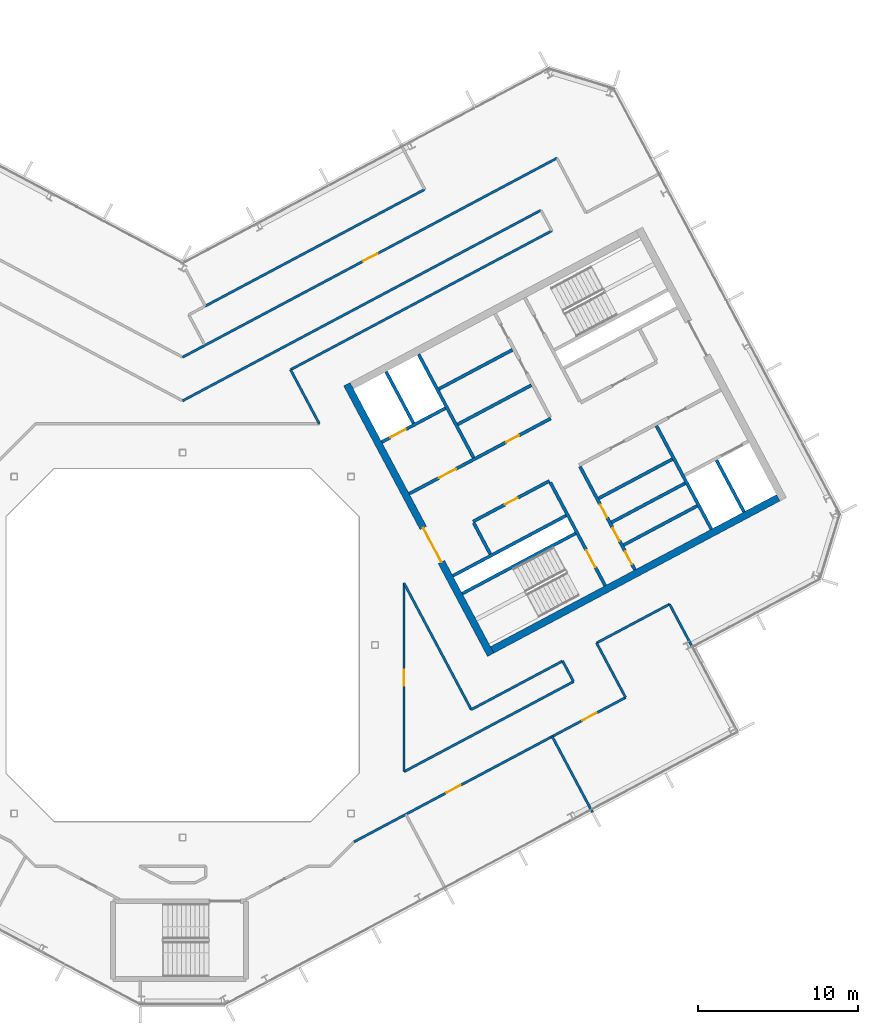
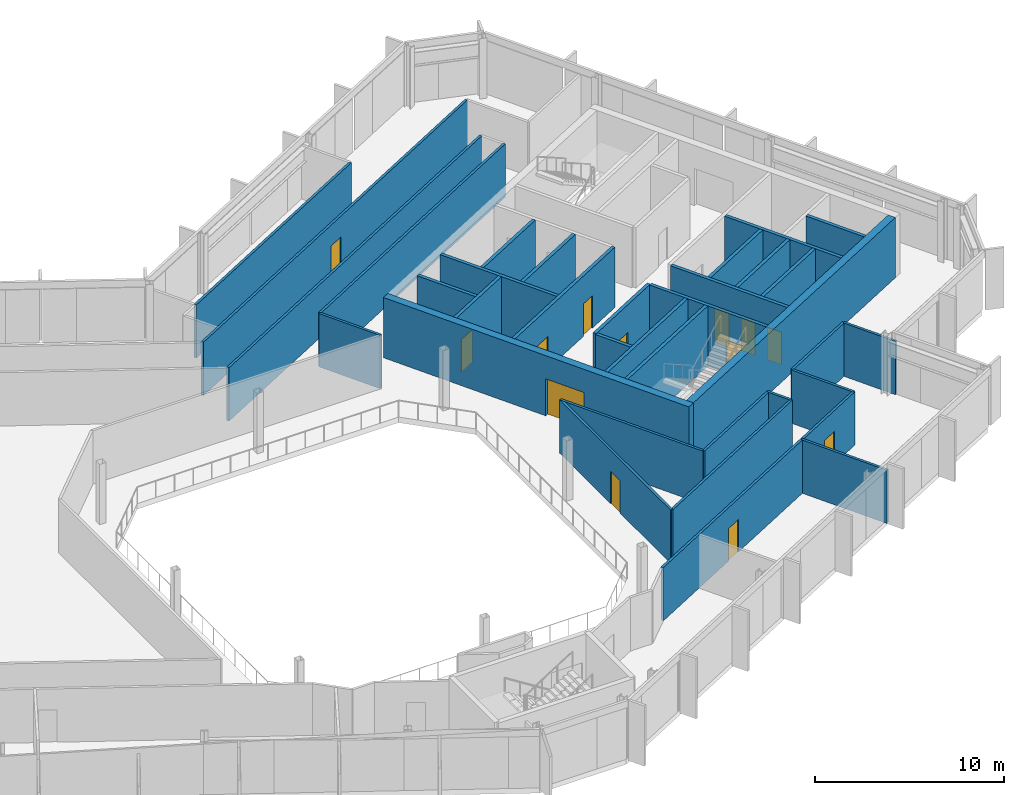
# One storey, part 16 of 26: 35 walls, 13 doors, 13 openings.
"""IFC4 building model written with IfcOpenShell, lengths in metres."""

from ifc_helpers import new_model, si_unit, direction, frame, frame_2d, origin, place, context, subcontext, project, spatial, rectangle, extrude, material, layer, layer_set, type_object, element, fill, save


model = new_model("IFC4")

# Units and contexts
model_context = context("Model", 3, precision=1e-05, world=origin(), true_north=direction((0.0, 1.0)))
body_context = subcontext(model_context, "Body", "Model", "MODEL_VIEW")
ifc_project = project(units=[si_unit("LENGTHUNIT", "METRE"), si_unit("AREAUNIT", "SQUARE_METRE"), si_unit("VOLUMEUNIT", "CUBIC_METRE"), si_unit("PLANEANGLEUNIT", "RADIAN"), si_unit("MASSUNIT", "GRAM", prefix="KILO")], contexts=[model_context])

# Site, building, storey
site_placement = place(None, origin())
site = spatial("IfcSite", under=ifc_project, at=site_placement, CompositionType="ELEMENT")
building_placement = place(site_placement, origin())
building = spatial("IfcBuilding", under=site, at=building_placement, Name="Cormorant Relay Tower", CompositionType="ELEMENT")
storey_placement = place(building_placement, frame((0.0, 0.0, 316.5)))
storey = spatial("IfcBuildingStorey", under=building, at=storey_placement, Name="L72", CompositionType="ELEMENT", Elevation=316.5)

# Walls
ifc_material_1 = material(Name="Concrete 40 MPa", Category="concrete")
ifc_layer_1 = layer(ifc_material_1, 0.199951171875)
ifc_layer_set_1 = layer_set([ifc_layer_1], Name="Core internal wall 200")
wall_type_1 = type_object("IfcWallType", Name="Core internal wall 200", PredefinedType="SOLIDWALL", material=ifc_layer_set_1)
for number, where, z_axis, x_axis, name in (
    (1, (27.490234375, 6.23583984375, 0.0), (0.0, 0.0, 1.0), (0.882953967957, 0.469459572775, 0.0), "L72 core B shaft and room wall"),
    (2, (26.739013671875, 7.6484375, 0.0), (0.0, 0.0, 1.0), (0.882934506056, 0.469496174655, 0.0), "L72 core B shaft and room wall"),
    (3, (15.97314453125, 15.968017578125, 0.0), (0.0, 0.0, 1.0), (0.882953967957, 0.469459572775, 0.0), "L72 core B shaft and room wall"),
):
    element("IfcWall", number, at=place(storey_placement, frame(where, z_axis=z_axis, x_axis=x_axis)), inside=storey, type_object=wall_type_1, Name=name, PredefinedType="SOLIDWALL", context=body_context, shape_type="SweptSolid", body=[
        extrude(rectangle(XDim=5.199951171875, YDim=0.199951171875, at=frame_2d((2.60009765625, 0.0))), origin(), (0.0, 0.0, 1.0), 3.89990234375),
    ])
ifc_material_2 = material(Name="Concrete 50 MPa", Category="concrete")
ifc_layer_2 = layer(ifc_material_2, 0.199951171875)
ifc_layer_set_2 = layer_set([ifc_layer_2], Name="Core shaft wall 200")
wall_type_2 = type_object("IfcWallType", Name="Core shaft wall 200", PredefinedType="SHEAR", material=ifc_layer_set_2)
wall_1_placement = place(storey_placement, frame((14.39404296875, 13.825927734375, 0.0), z_axis=(0.0, 0.0, 1.0), x_axis=(-0.469494272526, 0.882935517501, 0.0)))
element("IfcWall", 4, at=wall_1_placement, inside=storey, type_object=wall_type_2, Name="L72 core B shaft wall", PredefinedType="SHEAR", context=body_context, shape_type="SweptSolid", body=[
    extrude(rectangle(XDim=3.64990234375, YDim=0.199951171875, at=frame_2d((1.824951171875, 0.0))), origin(), (0.0, 0.0, 1.0), 3.89990234375),
])
wall_2_placement = place(storey_placement, frame((19.18359375, 5.669921875, 0.0), z_axis=(0.0, 0.0, 1.0), x_axis=(-0.4694473164, 0.882960484464, 0.0)))
element("IfcWall", 5, at=wall_2_placement, inside=storey, type_object=wall_type_2, Name="L72 core B shaft wall", PredefinedType="SHEAR", context=body_context, shape_type="SweptSolid", body=[
    extrude(rectangle(XDim=2.199951171875, YDim=0.199951171875, at=frame_2d((1.10009765625, 0.0))), origin(), (0.0, 0.0, 1.0), 3.89990234375),
])
wall_3_placement = place(storey_placement, frame((18.138427734375, 11.682861328125, 0.0), z_axis=(0.0, 0.0, 1.0), x_axis=(-0.469480409012, 0.88294288918, 0.0)))
element("IfcWall", 6, at=wall_3_placement, inside=storey, type_object=wall_type_2, Name="L72 core B shaft wall", PredefinedType="SHEAR", context=body_context, shape_type="SweptSolid", body=[
    extrude(rectangle(XDim=7.300048828125, YDim=0.199951171875, at=frame_2d((3.64990234375, 0.0))), origin(), (0.0, 0.0, 1.0), 3.89990234375),
])

# Wall, opening, door
wall_4_placement = place(storey_placement, frame((26.345947265625, 3.701904296875, 0.0), z_axis=(0.0, 0.0, 1.0), x_axis=(-0.469480409012, 0.88294288918, 0.0)))
wall_4 = element("IfcWall", 7, at=wall_4_placement, inside=storey, type_object=wall_type_2, Name="L72 core B shaft wall", PredefinedType="SHEAR", context=body_context, shape_type="SweptSolid", body=[
    extrude(rectangle(XDim=7.300048828125, YDim=0.199951171875, at=frame_2d((3.64990234375, 0.0))), origin(), (0.0, 0.0, 1.0), 3.89990234375),
])
opening_1_placement = place(wall_4_placement, frame((1.300048828125, 0.0, 0.0)))
opening_1 = element("IfcOpeningElement", 8, at=opening_1_placement, cuts=wall_4, Name="Opening CDB-040", PredefinedType="OPENING", context=body_context, shape_type="SweptSolid", body=[
    extrude(rectangle(XDim=1.199951171875, YDim=2.10009765625, at=frame_2d((0.60009765625, 1.050048828125))), frame((0.0, 0.10986328125, 0.0), z_axis=(0.0, -1.0, 0.0), x_axis=(1.0, 0.0, 0.0)), (0.0, 0.0, 1.0), 0.219970703125),
])
ifc_material_3 = material(Name="Steel fire door", Category="steel")
door_type_1 = type_object("IfcDoorType", Name="Core stair door 1200x2100", OperationType="SINGLE_SWING_LEFT", PredefinedType="DOOR", material=ifc_material_3)
door_1_placement = place(opening_1_placement, origin())
door_1 = element("IfcDoor", 9, at=door_1_placement, inside=storey, type_object=door_type_1, Name="Core stair door 1200x2100", OperationType="SINGLE_SWING_RIGHT", OverallHeight=2.10009765625, OverallWidth=1.199951171875, PredefinedType="DOOR", context=body_context, shape_type="SweptSolid", body=[
    extrude(rectangle(XDim=1.199951171875, YDim=2.10009765625, at=frame_2d((0.60009765625, 1.050048828125))), frame((0.0, 0.02490234375, 0.0), z_axis=(0.0, -1.0, 0.0), x_axis=(1.0, 0.0, 0.0)), (0.0, 0.0, 1.0), 0.050048828125),
])
fill(opening_1, door_1)

# Wall, openings, doors
wall_5_placement = place(storey_placement, frame((28.199951171875, 4.687744140625, 0.0), z_axis=(0.0, 0.0, 1.0), x_axis=(-0.469454336211, 0.882956752176, 0.0)))
wall_5 = element("IfcWall", 10, at=wall_5_placement, inside=storey, type_object=wall_type_2, Name="L72 core B shaft wall", PredefinedType="SHEAR", context=body_context, shape_type="SweptSolid", body=[
    extrude(rectangle(XDim=7.300048828125, YDim=0.199951171875, at=frame_2d((3.64990234375, 0.0))), origin(), (0.0, 0.0, 1.0), 3.89990234375),
])
opening_2_placement = place(wall_5_placement, frame((0.39990234375, 0.0, 0.0)))
opening_2 = element("IfcOpeningElement", 11, at=opening_2_placement, cuts=wall_5, Name="Opening CDD-343", PredefinedType="OPENING", context=body_context, shape_type="SweptSolid", body=[
    extrude(rectangle(XDim=0.89990234375, YDim=2.10009765625, at=frame_2d((0.449951171875, 1.050048828125))), frame((0.0, 0.10986328125, 0.0), z_axis=(0.0, -1.0, 0.0), x_axis=(1.0, 0.0, 0.0)), (0.0, 0.0, 1.0), 0.219970703125),
])
opening_3_placement = place(wall_5_placement, frame((2.050048828125, 0.0, 0.0)))
opening_3 = element("IfcOpeningElement", 12, at=opening_3_placement, cuts=wall_5, Name="Opening CDD-317", PredefinedType="OPENING", context=body_context, shape_type="SweptSolid", body=[
    extrude(rectangle(XDim=0.89990234375, YDim=2.10009765625, at=frame_2d((0.449951171875, 1.050048828125))), frame((0.0, 0.10986328125, 0.0), z_axis=(0.0, -1.0, 0.0), x_axis=(1.0, 0.0, 0.0)), (0.0, 0.0, 1.0), 0.219970703125),
])
opening_4_placement = place(wall_5_placement, frame((3.699951171875, 0.0, 0.0)))
opening_4 = element("IfcOpeningElement", 13, at=opening_4_placement, cuts=wall_5, Name="Opening CDD-336", PredefinedType="OPENING", context=body_context, shape_type="SweptSolid", body=[
    extrude(rectangle(XDim=0.89990234375, YDim=2.10009765625, at=frame_2d((0.449951171875, 1.050048828125))), frame((0.0, 0.10986328125, 0.0), z_axis=(0.0, -1.0, 0.0), x_axis=(1.0, 0.0, 0.0)), (0.0, 0.0, 1.0), 0.219970703125),
])
ifc_material_4 = material(Name="Steel fire door", Category="steel")
door_type_2 = type_object("IfcDoorType", Name="Core room door 900x2100", OperationType="SINGLE_SWING_LEFT", PredefinedType="DOOR", material=ifc_material_4)
door_2_placement = place(opening_2_placement, frame((0.89990234375, 0.0, 0.0), z_axis=(0.0, 0.0, 1.0), x_axis=(-1.0, 0.0, 0.0)))
door_2 = element("IfcDoor", 14, at=door_2_placement, inside=storey, type_object=door_type_2, Name="Core room door 900x2100", OperationType="SINGLE_SWING_LEFT", OverallHeight=2.10009765625, OverallWidth=0.89990234375, PredefinedType="DOOR", context=body_context, shape_type="SweptSolid", body=[
    extrude(rectangle(XDim=0.89990234375, YDim=2.10009765625, at=frame_2d((0.449951171875, 1.050048828125))), frame((0.0, 0.02490234375, 0.0), z_axis=(0.0, -1.0, 0.0), x_axis=(1.0, 0.0, 0.0)), (0.0, 0.0, 1.0), 0.050048828125),
])
fill(opening_2, door_2)
door_3_placement = place(opening_3_placement, frame((0.89990234375, 0.0, 0.0), z_axis=(0.0, 0.0, 1.0), x_axis=(-1.0, 0.0, 0.0)))
door_3 = element("IfcDoor", 15, at=door_3_placement, inside=storey, type_object=door_type_2, Name="Core room door 900x2100", OperationType="SINGLE_SWING_LEFT", OverallHeight=2.10009765625, OverallWidth=0.89990234375, PredefinedType="DOOR", context=body_context, shape_type="SweptSolid", body=[
    extrude(rectangle(XDim=0.89990234375, YDim=2.10009765625, at=frame_2d((0.449951171875, 1.050048828125))), frame((0.0, 0.02490234375, 0.0), z_axis=(0.0, -1.0, 0.0), x_axis=(1.0, 0.0, 0.0)), (0.0, 0.0, 1.0), 0.050048828125),
])
fill(opening_3, door_3)
door_4_placement = place(opening_4_placement, frame((0.89990234375, 0.0, 0.0), z_axis=(0.0, 0.0, 1.0), x_axis=(-1.0, 0.0, 0.0)))
door_4 = element("IfcDoor", 16, at=door_4_placement, inside=storey, type_object=door_type_2, Name="Core room door 900x2100", OperationType="SINGLE_SWING_LEFT", OverallHeight=2.10009765625, OverallWidth=0.89990234375, PredefinedType="DOOR", context=body_context, shape_type="SweptSolid", body=[
    extrude(rectangle(XDim=0.89990234375, YDim=2.10009765625, at=frame_2d((0.449951171875, 1.050048828125))), frame((0.0, 0.02490234375, 0.0), z_axis=(0.0, -1.0, 0.0), x_axis=(1.0, 0.0, 0.0)), (0.0, 0.0, 1.0), 0.050048828125),
])
fill(opening_4, door_4)

# Walls
wall_6_placement = place(storey_placement, frame((32.968017578125, 7.222900390625, 0.0), z_axis=(0.0, 0.0, 1.0), x_axis=(-0.469480409012, 0.88294288918, 0.0)))
element("IfcWall", 17, at=wall_6_placement, inside=storey, type_object=wall_type_2, Name="L72 core B shaft wall", PredefinedType="SHEAR", context=body_context, shape_type="SweptSolid", body=[
    extrude(rectangle(XDim=7.300048828125, YDim=0.199951171875, at=frame_2d((3.64990234375, 0.0))), origin(), (0.0, 0.0, 1.0), 3.89990234375),
])
wall_7_placement = place(storey_placement, frame((34.998779296875, 8.302734375, 0.0), z_axis=(0.0, 0.0, 1.0), x_axis=(-0.4694665462, 0.882950260207, 0.0)))
element("IfcWall", 18, at=wall_7_placement, inside=storey, type_object=wall_type_2, Name="L72 core B shaft wall", PredefinedType="SHEAR", context=body_context, shape_type="SweptSolid", body=[
    extrude(rectangle(XDim=3.650146484375, YDim=0.199951171875, at=frame_2d((1.8251953125, 0.0))), origin(), (0.0, 0.0, 1.0), 3.89990234375),
])
for number, where, z_axis, x_axis, name in (
    (19, (17.43359375, 3.210205078125, 0.0), (0.0, 0.0, 1.0), (0.882940221191, 0.469485426614, 0.0), "L72 core B shaft wall"),
    (20, (16.8466796875, 4.31396484375, 0.0), (0.0, 0.0, 1.0), (0.882940221191, 0.469485426614, 0.0), "L72 core B shaft wall"),
):
    element("IfcWall", number, at=place(storey_placement, frame(where, z_axis=z_axis, x_axis=x_axis)), inside=storey, type_object=wall_type_2, Name=name, PredefinedType="SHEAR", context=body_context, shape_type="SweptSolid", body=[
        extrude(rectangle(XDim=8.0, YDim=0.199951171875, at=frame_2d((4.0, 0.0))), origin(), (0.0, 0.0, 1.0), 3.89990234375),
    ])
wall_8_placement = place(storey_placement, frame((25.94091796875, 9.149658203125, 0.0), z_axis=(0.0, 0.0, 1.0), x_axis=(0.882953967957, 0.469459572775, 0.0)))
element("IfcWall", 21, at=wall_8_placement, inside=storey, type_object=wall_type_2, Name="L72 core B shaft wall", PredefinedType="SHEAR", context=body_context, shape_type="SweptSolid", body=[
    extrude(rectangle(XDim=5.199951171875, YDim=0.199951171875, at=frame_2d((2.60009765625, 0.0))), origin(), (0.0, 0.0, 1.0), 3.89990234375),
])

# Wall, opening, door
wall_9_placement = place(storey_placement, frame((18.103759765625, 7.70068359375, 0.0), z_axis=(0.0, 0.0, 1.0), x_axis=(0.882952937579, 0.469461510692, 0.0)))
wall_9 = element("IfcWall", 22, at=wall_9_placement, inside=storey, type_object=wall_type_2, Name="L72 core B shaft wall", PredefinedType="SHEAR", context=body_context, shape_type="SweptSolid", body=[
    extrude(rectangle(XDim=5.400146484375, YDim=0.199951171875, at=frame_2d((2.7001953125, 0.0))), origin(), (0.0, 0.0, 1.0), 3.89990234375),
])
opening_5_placement = place(wall_9_placement, frame((2.25, 0.0, 0.0)))
opening_5 = element("IfcOpeningElement", 23, at=opening_5_placement, cuts=wall_9, Name="Opening CDD-262", PredefinedType="OPENING", context=body_context, shape_type="SweptSolid", body=[
    extrude(rectangle(XDim=0.89990234375, YDim=2.10009765625, at=frame_2d((0.449951171875, 1.050048828125))), frame((0.0, 0.10986328125, 0.0), z_axis=(0.0, -1.0, 0.0), x_axis=(1.0, 0.0, 0.0)), (0.0, 0.0, 1.0), 0.219970703125),
])
door_5_placement = place(opening_5_placement, frame((0.89990234375, 0.0, 0.0), z_axis=(0.0, 0.0, 1.0), x_axis=(-1.0, 0.0, 0.0)))
door_5 = element("IfcDoor", 24, at=door_5_placement, inside=storey, type_object=door_type_2, Name="Core room door 900x2100", OperationType="SINGLE_SWING_RIGHT", OverallHeight=2.10009765625, OverallWidth=0.89990234375, PredefinedType="DOOR", context=body_context, shape_type="SweptSolid", body=[
    extrude(rectangle(XDim=0.89990234375, YDim=2.10009765625, at=frame_2d((0.449951171875, 1.050048828125))), frame((0.0, 0.02490234375, 0.0), z_axis=(0.0, -1.0, 0.0), x_axis=(1.0, 0.0, 0.0)), (0.0, 0.0, 1.0), 0.050048828125),
])
fill(opening_5, door_5)

# Wall, openings, doors
wall_10_placement = place(storey_placement, frame((14.123779296875, 9.43505859375, 0.0), z_axis=(0.0, 0.0, 1.0), x_axis=(0.882940221191, 0.469485426614, 0.0)))
wall_10 = element("IfcWall", 25, at=wall_10_placement, inside=storey, type_object=wall_type_2, Name="L72 core B shaft wall", PredefinedType="SHEAR", context=body_context, shape_type="SweptSolid", body=[
    extrude(rectangle(XDim=10.0, YDim=0.199951171875, at=frame_2d((5.0, 0.0))), origin(), (0.0, 0.0, 1.0), 3.89990234375),
])
opening_6_placement = place(wall_10_placement, frame((2.10009765625, 0.0, 0.0)))
opening_6 = element("IfcOpeningElement", 26, at=opening_6_placement, cuts=wall_10, Name="Opening CDC-037", PredefinedType="OPENING", context=body_context, shape_type="SweptSolid", body=[
    extrude(rectangle(XDim=1.199951171875, YDim=2.10009765625, at=frame_2d((0.60009765625, 1.050048828125))), frame((0.0, 0.10986328125, 0.0), z_axis=(0.0, -1.0, 0.0), x_axis=(1.0, 0.0, 0.0)), (0.0, 0.0, 1.0), 0.219970703125),
])
opening_7_placement = place(wall_10_placement, frame((6.85009765625, 0.0, 0.0)))
opening_7 = element("IfcOpeningElement", 27, at=opening_7_placement, cuts=wall_10, Name="Opening CDD-260", PredefinedType="OPENING", context=body_context, shape_type="SweptSolid", body=[
    extrude(rectangle(XDim=0.89990234375, YDim=2.10009765625, at=frame_2d((0.449951171875, 1.050048828125))), frame((0.0, 0.10986328125, 0.0), z_axis=(0.0, -1.0, 0.0), x_axis=(1.0, 0.0, 0.0)), (0.0, 0.0, 1.0), 0.219970703125),
])
ifc_material_5 = material(Name="Steel fire door", Category="steel")
door_type_3 = type_object("IfcDoorType", Name="Core lobby door 1200x2100", OperationType="SINGLE_SWING_LEFT", PredefinedType="DOOR", material=ifc_material_5)
door_6_placement = place(opening_6_placement, origin())
door_6 = element("IfcDoor", 28, at=door_6_placement, inside=storey, type_object=door_type_3, Name="Core lobby door 1200x2100", OperationType="SINGLE_SWING_RIGHT", OverallHeight=2.10009765625, OverallWidth=1.199951171875, PredefinedType="DOOR", context=body_context, shape_type="SweptSolid", body=[
    extrude(rectangle(XDim=1.199951171875, YDim=2.10009765625, at=frame_2d((0.60009765625, 1.050048828125))), frame((0.0, 0.02490234375, 0.0), z_axis=(0.0, -1.0, 0.0), x_axis=(1.0, 0.0, 0.0)), (0.0, 0.0, 1.0), 0.050048828125),
])
fill(opening_6, door_6)
door_7_placement = place(opening_7_placement, origin())
door_7 = element("IfcDoor", 29, at=door_7_placement, inside=storey, type_object=door_type_2, Name="Core room door 900x2100", OperationType="SINGLE_SWING_LEFT", OverallHeight=2.10009765625, OverallWidth=0.89990234375, PredefinedType="DOOR", context=body_context, shape_type="SweptSolid", body=[
    extrude(rectangle(XDim=0.89990234375, YDim=2.10009765625, at=frame_2d((0.449951171875, 1.050048828125))), frame((0.0, 0.02490234375, 0.0), z_axis=(0.0, -1.0, 0.0), x_axis=(1.0, 0.0, 0.0)), (0.0, 0.0, 1.0), 0.050048828125),
])
fill(opening_7, door_7)

# Wall
wall_11_placement = place(storey_placement, frame((17.146728515625, 13.7607421875, 0.0), z_axis=(0.0, 0.0, 1.0), x_axis=(0.882964314875, 0.469440111896, 0.0)))
element("IfcWall", 30, at=wall_11_placement, inside=storey, type_object=wall_type_2, Name="L72 core B shaft wall", PredefinedType="SHEAR", context=body_context, shape_type="SweptSolid", body=[
    extrude(rectangle(XDim=5.2001953125, YDim=0.199951171875, at=frame_2d((2.60009765625, 0.0))), origin(), (0.0, 0.0, 1.0), 3.89990234375),
])

# Wall, opening, door
wall_12_placement = place(storey_placement, frame((12.41015625, 12.657958984375, 0.0), z_axis=(0.0, 0.0, 1.0), x_axis=(0.8829484765, 0.469469900894, 0.0)))
wall_12 = element("IfcWall", 31, at=wall_12_placement, inside=storey, type_object=wall_type_2, Name="L72 core B shaft wall", PredefinedType="SHEAR", context=body_context, shape_type="SweptSolid", body=[
    extrude(rectangle(XDim=4.499755859375, YDim=0.199951171875, at=frame_2d((2.25, 0.0))), origin(), (0.0, 0.0, 1.0), 3.89990234375),
])
opening_8_placement = place(wall_12_placement, frame((0.60009765625, 0.0, 0.0)))
opening_8 = element("IfcOpeningElement", 32, at=opening_8_placement, cuts=wall_12, Name="Opening LD1-064", PredefinedType="OPENING", context=body_context, shape_type="SweptSolid", body=[
    extrude(rectangle(XDim=1.10009765625, YDim=2.10009765625, at=frame_2d((0.550048828125, 1.050048828125))), frame((0.0, 0.10986328125, 0.0), z_axis=(0.0, -1.0, 0.0), x_axis=(1.0, 0.0, 0.0)), (0.0, 0.0, 1.0), 0.219970703125),
])
ifc_material_6 = material(Name="Stainless steel 316", Category="steel")
door_type_4 = type_object("IfcDoorType", Name="Lift landing door 1100x2100", OperationType="DOUBLE_DOOR_SLIDING", PredefinedType="DOOR", material=ifc_material_6)
door_8_placement = place(opening_8_placement, origin())
door_8 = element("IfcDoor", 33, at=door_8_placement, inside=storey, type_object=door_type_4, Name="FF2 landing door", OperationType="DOUBLE_DOOR_SLIDING", OverallHeight=2.10009765625, OverallWidth=1.10009765625, PredefinedType="DOOR", context=body_context, shape_type="SweptSolid", body=[
    extrude(rectangle(XDim=1.10009765625, YDim=2.10009765625, at=frame_2d((0.550048828125, 1.050048828125))), frame((0.0, 0.02490234375, 0.0), z_axis=(0.0, -1.0, 0.0), x_axis=(1.0, 0.0, 0.0)), (0.0, 0.0, 1.0), 0.050048828125),
])
fill(opening_8, door_8)

ifc_material_7 = material(Name="Concrete 50 MPa", Category="concrete")
ifc_layer_3 = layer(ifc_material_7, 0.449951171875)
ifc_layer_set_3 = layer_set([ifc_layer_3], Name="Core wall 450")
wall_type_3 = type_object("IfcWallType", Name="Core wall 450", PredefinedType="SHEAR", material=ifc_layer_set_3)
wall_13_placement = place(storey_placement, frame((19.20654296875, -0.603759765625, 0.0), z_axis=(0.0, 0.0, 1.0), x_axis=(-0.469467968382, 0.882949504028, 0.0)))
wall_13 = element("IfcWall", 34, at=wall_13_placement, inside=storey, type_object=wall_type_3, Name="L72 core B wall", PredefinedType="SHEAR", context=body_context, shape_type="SweptSolid", body=[
    extrude(rectangle(XDim=19.099853515625, YDim=0.449951171875, at=frame_2d((9.5498046875, 0.0))), origin(), (0.0, 0.0, 1.0), 3.89990234375),
])
opening_9_placement = place(wall_13_placement, frame((6.550048828125, 0.0, 0.0)))
opening_9 = element("IfcOpeningElement", 35, at=opening_9_placement, cuts=wall_13, Name="Opening CDA-055", PredefinedType="OPENING", context=body_context, shape_type="SweptSolid", body=[
    extrude(rectangle(XDim=2.39990234375, YDim=2.39990234375, at=frame_2d((1.199951171875, 1.199951171875))), frame((0.0, 0.23486328125, 0.0), z_axis=(0.0, -1.0, 0.0), x_axis=(1.0, 0.0, 0.0)), (0.0, 0.0, 1.0), 0.469970703125),
])
ifc_material_8 = material(Name="Steel fire door", Category="steel")
door_type_5 = type_object("IfcDoorType", Name="Core lobby door 2400x2400", OperationType="DOUBLE_DOOR_SINGLE_SWING", PredefinedType="DOOR", material=ifc_material_8)
door_9_placement = place(opening_9_placement, origin())
door_9 = element("IfcDoor", 36, at=door_9_placement, inside=storey, type_object=door_type_5, Name="Core lobby door 2400x2400", OperationType="DOUBLE_DOOR_SINGLE_SWING", OverallHeight=2.39990234375, OverallWidth=2.39990234375, PredefinedType="DOOR", context=body_context, shape_type="SweptSolid", body=[
    extrude(rectangle(XDim=2.39990234375, YDim=2.39990234375, at=frame_2d((1.199951171875, 1.199951171875))), frame((0.0, 0.02490234375, 0.0), z_axis=(0.0, -1.0, 0.0), x_axis=(1.0, 0.0, 0.0)), (0.0, 0.0, 1.0), 0.050048828125),
])
fill(opening_9, door_9)

# Walls
wall_14_placement = place(storey_placement, frame((19.299560546875, -0.29931640625, 0.0), z_axis=(0.0, 0.0, 1.0), x_axis=(0.88295276571, 0.46946183394, 0.0)))
element("IfcWall", 37, at=wall_14_placement, inside=storey, type_object=wall_type_3, Name="L72 core B wall", PredefinedType="SHEAR", context=body_context, shape_type="SweptSolid", body=[
    extrude(rectangle(XDim=20.199951171875, YDim=0.449951171875, at=frame_2d((10.10009765625, 0.0))), origin(), (0.0, 0.0, 1.0), 3.89990234375),
])
ifc_material_9 = material(Name="Gypsum board fire partition")
ifc_layer_4 = layer(ifc_material_9, 0.14990234375)
ifc_layer_set_4 = layer_set([ifc_layer_4], Name="Corridor partition 150 EI 60")
wall_type_4 = type_object("IfcWallType", Name="Corridor partition 150 EI 60", PredefinedType="PARTITIONING", material=ifc_layer_set_4)
wall_15_placement = place(storey_placement, frame((0.0, 15.23291015625, 0.0), z_axis=(0.0, 0.0, 1.0), x_axis=(0.882940229487, 0.469485411012, 0.0)))
element("IfcWall", 38, at=wall_15_placement, inside=storey, type_object=wall_type_4, Name="wall/L72/part/017", PredefinedType="PARTITIONING", context=body_context, shape_type="SweptSolid", body=[
    extrude(rectangle(XDim=25.29833984375, YDim=0.14990234375, at=frame_2d((12.649169921875, 0.0))), origin(), (0.0, 0.0, 1.0), 3.449951171875),
])
wall_16_placement = place(storey_placement, frame((23.01806640625, 25.830078125, 0.0), z_axis=(0.0, 0.0, 1.0), x_axis=(-0.882935416105, -0.469494463213, 0.0)))
element("IfcWall", 39, at=wall_16_placement, inside=storey, type_object=wall_type_4, Name="wall/L72/part/019", PredefinedType="PARTITIONING", context=body_context, shape_type="SweptSolid", body=[
    extrude(rectangle(XDim=18.449951171875, YDim=0.14990234375, at=frame_2d((9.22509765625, 0.0))), origin(), (0.0, 0.0, 1.0), 3.449951171875),
])
wall_17_placement = place(storey_placement, frame((6.72802734375, 17.16796875, 0.0), z_axis=(0.0, 0.0, 1.0), x_axis=(0.469325262013, -0.883025366813, 0.0)))
element("IfcWall", 40, at=wall_17_placement, inside=storey, type_object=wall_type_4, Name="wall/L72/part/020", PredefinedType="PARTITIONING", context=body_context, shape_type="SweptSolid", body=[
    extrude(rectangle(XDim=3.81396484375, YDim=0.14990234375, at=frame_2d((1.906982421875, 0.0))), origin(), (0.0, 0.0, 1.0), 3.449951171875),
])

# Wall, opening, door
wall_18_placement = place(storey_placement, frame((0.0, 17.950927734375, 0.0), z_axis=(0.0, 0.0, 1.0), x_axis=(0.882944349917, 0.469477661821, 0.0)))
wall_18 = element("IfcWall", 41, at=wall_18_placement, inside=storey, type_object=wall_type_4, Name="wall/L72/part/040", PredefinedType="PARTITIONING", context=body_context, shape_type="SweptSolid", body=[
    extrude(rectangle(XDim=26.423095703125, YDim=0.14990234375, at=frame_2d((13.21142578125, 0.0))), origin(), (0.0, 0.0, 1.0), 3.449951171875),
])
opening_10_placement = place(wall_18_placement, frame((12.75, 0.0, 0.0)))
opening_10 = element("IfcOpeningElement", 42, at=opening_10_placement, cuts=wall_18, Name="Opening DS-262", PredefinedType="OPENING", context=body_context, shape_type="SweptSolid", body=[
    extrude(rectangle(XDim=1.0, YDim=2.10009765625, at=frame_2d((0.5, 1.050048828125))), frame((0.0, 0.0849609375, 0.0), z_axis=(0.0, -1.0, 0.0), x_axis=(1.0, 0.0, 0.0)), (0.0, 0.0, 1.0), 0.169921875),
])
ifc_material_10 = material(Name="Timber door leaf", Category="wood")
door_type_6 = type_object("IfcDoorType", Name="Suite door 1000x2100", OperationType="SINGLE_SWING_LEFT", PredefinedType="DOOR", material=ifc_material_10)
door_10_placement = place(opening_10_placement, origin())
door_10 = element("IfcDoor", 43, at=door_10_placement, inside=storey, type_object=door_type_6, Name="door/L72/005", OperationType="SINGLE_SWING_LEFT", OverallHeight=2.10009765625, OverallWidth=1.0, PredefinedType="DOOR", context=body_context, shape_type="SweptSolid", body=[
    extrude(rectangle(XDim=1.0, YDim=2.10009765625, at=frame_2d((0.5, 1.050048828125))), frame((0.0, 0.02490234375, 0.0), z_axis=(0.0, -1.0, 0.0), x_axis=(1.0, 0.0, 0.0)), (0.0, 0.0, 1.0), 0.050048828125),
])
fill(opening_10, door_10)

wall_19_placement = place(storey_placement, frame((23.10791015625, -5.6640625, 0.0), z_axis=(0.0, 0.0, 1.0), x_axis=(-0.882952650817, -0.469462050027, 0.0)))
wall_19 = element("IfcWall", 44, at=wall_19_placement, inside=storey, type_object=wall_type_4, Name="wall/L72/part/059", PredefinedType="PARTITIONING", context=body_context, shape_type="SweptSolid", body=[
    extrude(rectangle(XDim=14.058349609375, YDim=0.14990234375, at=frame_2d((7.029296875, 0.0))), origin(), (0.0, 0.0, 1.0), 3.449951171875),
])
opening_11_placement = place(wall_19_placement, frame((6.550048828125, 0.0, 0.0)))
opening_11 = element("IfcOpeningElement", 45, at=opening_11_placement, cuts=wall_19, Name="Opening DS-260", PredefinedType="OPENING", context=body_context, shape_type="SweptSolid", body=[
    extrude(rectangle(XDim=1.0, YDim=2.10009765625, at=frame_2d((0.5, 1.050048828125))), frame((0.0, 0.0849609375, 0.0), z_axis=(0.0, -1.0, 0.0), x_axis=(1.0, 0.0, 0.0)), (0.0, 0.0, 1.0), 0.169921875),
])
door_11_placement = place(opening_11_placement, origin())
door_11 = element("IfcDoor", 46, at=door_11_placement, inside=storey, type_object=door_type_6, Name="door/L72/003", OperationType="SINGLE_SWING_RIGHT", OverallHeight=2.10009765625, OverallWidth=1.0, PredefinedType="DOOR", context=body_context, shape_type="SweptSolid", body=[
    extrude(rectangle(XDim=1.0, YDim=2.10009765625, at=frame_2d((0.5, 1.050048828125))), frame((0.0, 0.02490234375, 0.0), z_axis=(0.0, -1.0, 0.0), x_axis=(1.0, 0.0, 0.0)), (0.0, 0.0, 1.0), 0.050048828125),
])
fill(opening_11, door_11)

wall_20_placement = place(storey_placement, frame((27.615966796875, -3.26708984375, 0.0), z_axis=(0.0, 0.0, 1.0), x_axis=(-0.882947883351, -0.469471016449, 0.0)))
wall_20 = element("IfcWall", 47, at=wall_20_placement, inside=storey, type_object=wall_type_4, Name="wall/L72/part/061", PredefinedType="PARTITIONING", context=body_context, shape_type="SweptSolid", body=[
    extrude(rectangle(XDim=5.105712890625, YDim=0.14990234375, at=frame_2d((2.552734375, 0.0))), origin(), (0.0, 0.0, 1.0), 3.449951171875),
])
opening_12_placement = place(wall_20_placement, frame((2.050048828125, 0.0, 0.0)))
opening_12 = element("IfcOpeningElement", 48, at=opening_12_placement, cuts=wall_20, Name="Opening DS-261", PredefinedType="OPENING", context=body_context, shape_type="SweptSolid", body=[
    extrude(rectangle(XDim=1.0, YDim=2.10009765625, at=frame_2d((0.5, 1.050048828125))), frame((0.0, 0.0849609375, 0.0), z_axis=(0.0, -1.0, 0.0), x_axis=(1.0, 0.0, 0.0)), (0.0, 0.0, 1.0), 0.169921875),
])
door_12_placement = place(opening_12_placement, origin())
door_12 = element("IfcDoor", 49, at=door_12_placement, inside=storey, type_object=door_type_6, Name="door/L72/004", OperationType="SINGLE_SWING_RIGHT", OverallHeight=2.10009765625, OverallWidth=1.0, PredefinedType="DOOR", context=body_context, shape_type="SweptSolid", body=[
    extrude(rectangle(XDim=1.0, YDim=2.10009765625, at=frame_2d((0.5, 1.050048828125))), frame((0.0, 0.02490234375, 0.0), z_axis=(0.0, -1.0, 0.0), x_axis=(1.0, 0.0, 0.0)), (0.0, 0.0, 1.0), 0.050048828125),
])
fill(opening_12, door_12)

# Walls
wall_21_placement = place(storey_placement, frame((27.615966796875, -3.26806640625, 0.0), z_axis=(0.0, 0.0, 1.0), x_axis=(-0.469331692053, 0.883021949237, 0.0)))
element("IfcWall", 50, at=wall_21_placement, inside=storey, type_object=wall_type_4, Name="wall/L72/part/062", PredefinedType="PARTITIONING", context=body_context, shape_type="SweptSolid", body=[
    extrude(rectangle(XDim=3.84375, YDim=0.14990234375, at=frame_2d((1.921875, 0.0))), origin(), (0.0, 0.0, 1.0), 3.449951171875),
])
wall_22_placement = place(storey_placement, frame((25.80908203125, 0.132080078125, 0.0), z_axis=(0.0, 0.0, 1.0), x_axis=(0.882919223655, 0.46952491361, 0.0)))
element("IfcWall", 51, at=wall_22_placement, inside=storey, type_object=wall_type_4, Name="wall/L72/part/065", PredefinedType="PARTITIONING", context=body_context, shape_type="SweptSolid", body=[
    extrude(rectangle(XDim=5.14990234375, YDim=0.14990234375, at=frame_2d((2.574951171875, 0.0))), origin(), (0.0, 0.0, 1.0), 3.449951171875),
])
wall_23_placement = place(storey_placement, frame((30.35595703125, 2.550048828125, 0.0), z_axis=(0.0, 0.0, 1.0), x_axis=(0.469630247772, -0.882863200263, 0.0)))
element("IfcWall", 52, at=wall_23_placement, inside=storey, type_object=wall_type_4, Name="wall/L72/part/066", PredefinedType="PARTITIONING", context=body_context, shape_type="SweptSolid", body=[
    extrude(rectangle(XDim=3.28125, YDim=0.14990234375, at=frame_2d((1.640625, 0.0))), origin(), (0.0, 0.0, 1.0), 3.449951171875),
])

# Wall, opening, door
wall_24_placement = place(storey_placement, frame((13.800048828125, -7.89501953125, 0.0), z_axis=(0.0, 0.0, 1.0), x_axis=(0.0, 1.0, 0.0)))
wall_24 = element("IfcWall", 53, at=wall_24_placement, inside=storey, type_object=wall_type_4, Name="wall/L72/part/072", PredefinedType="PARTITIONING", context=body_context, shape_type="SweptSolid", body=[
    extrude(rectangle(XDim=11.761962890625, YDim=0.14990234375, at=frame_2d((5.880859375, 0.0))), origin(), (0.0, 0.0, 1.0), 3.449951171875),
])
opening_13_placement = place(wall_24_placement, frame((5.35009765625, 0.0, 0.0)))
opening_13 = element("IfcOpeningElement", 54, at=opening_13_placement, cuts=wall_24, Name="Opening DS-274", PredefinedType="OPENING", context=body_context, shape_type="SweptSolid", body=[
    extrude(rectangle(XDim=1.0, YDim=2.10009765625, at=frame_2d((0.5, 1.050048828125))), frame((0.0, 0.0849609375, 0.0), z_axis=(0.0, -1.0, 0.0), x_axis=(1.0, 0.0, 0.0)), (0.0, 0.0, 1.0), 0.169921875),
])
door_13_placement = place(opening_13_placement, frame((1.0, 0.0, 0.0), z_axis=(0.0, 0.0, 1.0), x_axis=(-1.0, 0.0, 0.0)))
door_13 = element("IfcDoor", 55, at=door_13_placement, inside=storey, type_object=door_type_6, Name="door/L72/017", OperationType="SINGLE_SWING_LEFT", OverallHeight=2.10009765625, OverallWidth=1.0, PredefinedType="DOOR", context=body_context, shape_type="SweptSolid", body=[
    extrude(rectangle(XDim=1.0, YDim=2.10009765625, at=frame_2d((0.5, 1.050048828125))), frame((0.0, 0.02490234375, 0.0), z_axis=(0.0, -1.0, 0.0), x_axis=(1.0, 0.0, 0.0)), (0.0, 0.0, 1.0), 0.050048828125),
])
fill(opening_13, door_13)

# Walls
wall_25_placement = place(storey_placement, frame((13.800048828125, 3.866943359375, 0.0), z_axis=(0.0, 0.0, 1.0), x_axis=(0.469466158958, -0.882950466104, 0.0)))
element("IfcWall", 56, at=wall_25_placement, inside=storey, type_object=wall_type_4, Name="wall/L72/part/073", PredefinedType="PARTITIONING", context=body_context, shape_type="SweptSolid", body=[
    extrude(rectangle(XDim=8.935791015625, YDim=0.14990234375, at=frame_2d((4.4677734375, 0.0))), origin(), (0.0, 0.0, 1.0), 3.449951171875),
])
wall_26_placement = place(storey_placement, frame((17.9951171875, -4.02294921875, 0.0), z_axis=(0.0, 0.0, 1.0), x_axis=(0.882957857588, 0.46945225713, 0.0)))
element("IfcWall", 57, at=wall_26_placement, inside=storey, type_object=wall_type_4, Name="wall/L72/part/074", PredefinedType="PARTITIONING", context=body_context, shape_type="SweptSolid", body=[
    extrude(rectangle(XDim=6.44970703125, YDim=0.14990234375, at=frame_2d((3.224853515625, 0.0))), origin(), (0.0, 0.0, 1.0), 3.449951171875),
])
wall_27_placement = place(storey_placement, frame((23.68994140625, -0.9951171875, 0.0), z_axis=(0.0, 0.0, 1.0), x_axis=(0.469836382258, -0.882753518207, 0.0)))
element("IfcWall", 58, at=wall_27_placement, inside=storey, type_object=wall_type_4, Name="wall/L72/part/075", PredefinedType="PARTITIONING", context=body_context, shape_type="SweptSolid", body=[
    extrude(rectangle(XDim=1.44970703125, YDim=0.14990234375, at=frame_2d((0.724853515625, 0.0))), origin(), (0.0, 0.0, 1.0), 3.449951171875),
])
wall_28_placement = place(storey_placement, frame((24.37109375, -2.27490234375, 0.0), z_axis=(0.0, 0.0, 1.0), x_axis=(-0.882968611929, -0.46943202953, 0.0)))
element("IfcWall", 59, at=wall_28_placement, inside=storey, type_object=wall_type_4, Name="wall/L72/part/076", PredefinedType="PARTITIONING", context=body_context, shape_type="SweptSolid", body=[
    extrude(rectangle(XDim=11.97216796875, YDim=0.14990234375, at=frame_2d((5.986083984375, 0.0))), origin(), (0.0, 0.0, 1.0), 3.449951171875),
])
ifc_material_11 = material(Name="Gypsum board partition")
ifc_layer_5 = layer(ifc_material_11, 0.14990234375)
ifc_layer_set_5 = layer_set([ifc_layer_5], Name="Tenant partition 150")
wall_type_5 = type_object("IfcWallType", Name="Tenant partition 150", PredefinedType="PARTITIONING", material=ifc_layer_set_5)
wall_29_placement = place(storey_placement, frame((1.404052734375, 21.133056640625, 0.0), z_axis=(0.0, 0.0, 1.0), x_axis=(0.882961961034, 0.469444539182, 0.0)))
element("IfcWall", 60, at=wall_29_placement, inside=storey, type_object=wall_type_5, Name="wall/L72/part/053", PredefinedType="PARTITIONING", context=body_context, shape_type="SweptSolid", body=[
    extrude(rectangle(XDim=15.505615234375, YDim=0.14990234375, at=frame_2d((7.7529296875, 0.0))), origin(), (0.0, 0.0, 1.0), 3.449951171875),
])
wall_30_placement = place(storey_placement, frame((23.0400390625, -5.700927734375, 0.0), z_axis=(0.0, 0.0, 1.0), x_axis=(0.469562262294, -0.882899361099, 0.0)))
element("IfcWall", 61, at=wall_30_placement, inside=storey, type_object=wall_type_5, Name="wall/L72/part/060", PredefinedType="PARTITIONING", context=body_context, shape_type="SweptSolid", body=[
    extrude(rectangle(XDim=5.349609375, YDim=0.14990234375, at=frame_2d((2.6748046875, 0.0))), origin(), (0.0, 0.0, 1.0), 3.449951171875),
])

save(model, "model.ifc")
